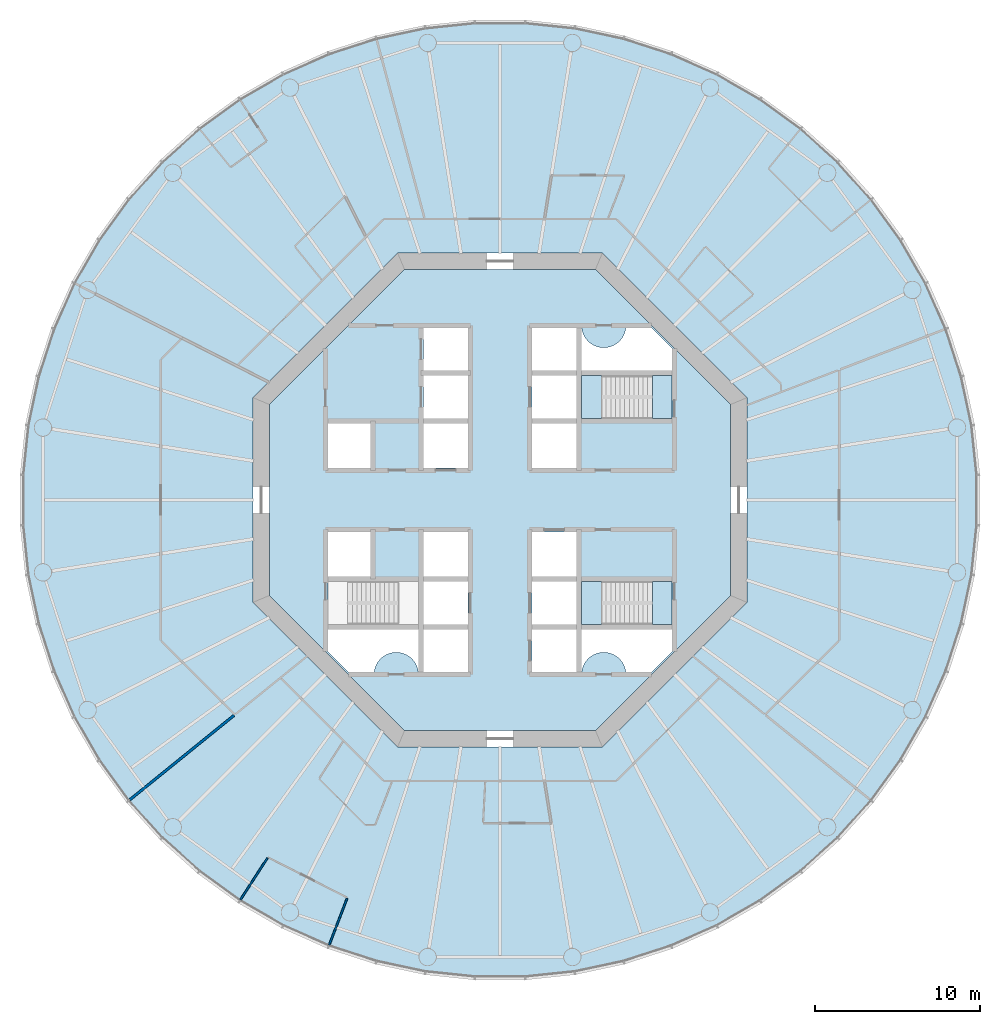
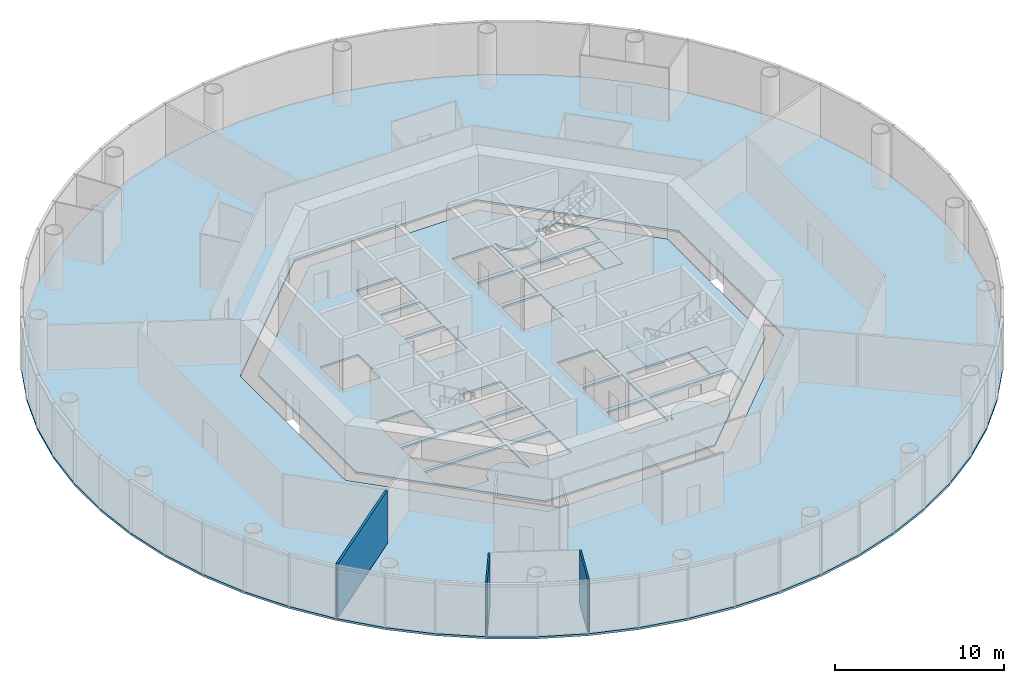
# One storey, part 2 of 12: 6 slabs, 3 walls, 2 elements without a shape of their own.
"""IFC4 building model written with IfcOpenShell, lengths in metres."""

from ifc_helpers import new_model, si_unit, direction, frame, frame_2d, origin, place, context, subcontext, project, spatial, polyline, rectangle, outline, extrude, material, layer, layer_set, type_object, element, aggregate, save


model = new_model("IFC4")

# Units and contexts
model_context = context("Model", 3, precision=1e-05, world=origin(), true_north=direction((0.0, 1.0)))
body_context = subcontext(model_context, "Body", "Model", "MODEL_VIEW")
ifc_project = project(units=[si_unit("LENGTHUNIT", "METRE"), si_unit("AREAUNIT", "SQUARE_METRE"), si_unit("VOLUMEUNIT", "CUBIC_METRE"), si_unit("PLANEANGLEUNIT", "RADIAN"), si_unit("MASSUNIT", "GRAM", prefix="KILO")], contexts=[model_context])

# Site, building, storey
site_placement = place(None, origin())
site = spatial("IfcSite", under=ifc_project, at=site_placement, CompositionType="ELEMENT")
building_placement = place(site_placement, origin())
building = spatial("IfcBuilding", under=site, at=building_placement, Name="Entoto Ring Tower", CompositionType="ELEMENT")
storey_placement = place(building_placement, frame((0.0, 0.0, 192.0)))
storey = spatial("IfcBuildingStorey", under=building, at=storey_placement, Name="L44", CompositionType="ELEMENT", Elevation=192.0)

# Slabs
ifc_material_1 = material(Name="Concrete C30/37", Category="concrete")
ifc_layer_1 = layer(ifc_material_1, 0.14990234375)
ifc_layer_set_1 = layer_set([ifc_layer_1], Name="Concrete C30/37")
slab_type_1 = type_object("IfcSlabType", Name="Composite floor slab 150 mm", PredefinedType="FLOOR", material=ifc_layer_set_1)
slab_1_placement = place(storey_placement, frame((0.0, 0.0, -0.14990234375)))
element("IfcSlab", 1, at=slab_1_placement, inside=storey, type_object=slab_type_1, Name="Floor slab L44", PredefinedType="FLOOR", context=body_context, shape_type="SweptSolid", body=[
    extrude(outline(polyline([(118.74169921875, 84.55224609375), (118.1083984375, 87.53173828125), (117.167236328125, 90.428466796875), (115.92822265625, 93.211181640625), (114.4052734375, 95.848876953125), (112.614990234375, 98.313232421875), (110.576904296875, 100.576904296875), (108.313232421875, 102.614990234375), (105.848876953125, 104.4052734375), (103.211181640625, 105.92822265625), (100.428466796875, 107.167236328125), (97.53173828125, 108.1083984375), (94.55224609375, 108.74169921875), (91.52294921875, 109.06005859375), (88.47705078125, 109.06005859375), (85.44775390625, 108.74169921875), (82.46826171875, 108.1083984375), (79.571533203125, 107.167236328125), (76.788818359375, 105.92822265625), (74.151123046875, 104.4052734375), (71.686767578125, 102.614990234375), (69.423095703125, 100.576904296875), (67.385009765625, 98.313232421875), (65.5947265625, 95.848876953125), (64.07177734375, 93.211181640625), (62.832763671875, 90.428466796875), (61.8916015625, 87.53173828125), (61.25830078125, 84.55224609375), (60.93994140625, 81.52294921875), (60.93994140625, 78.47705078125), (61.25830078125, 75.44775390625), (61.8916015625, 72.46826171875), (62.832763671875, 69.571533203125), (64.07177734375, 66.788818359375), (65.5947265625, 64.151123046875), (67.385009765625, 61.686767578125), (69.423095703125, 59.423095703125), (71.686767578125, 57.385009765625), (74.151123046875, 55.5947265625), (76.788818359375, 54.07177734375), (79.571533203125, 52.832763671875), (82.46826171875, 51.8916015625), (85.44775390625, 51.25830078125), (88.47705078125, 50.93994140625), (91.52294921875, 50.93994140625), (94.55224609375, 51.25830078125), (97.53173828125, 51.8916015625), (100.428466796875, 52.832763671875), (103.211181640625, 54.07177734375), (105.848876953125, 55.5947265625), (108.313232421875, 57.385009765625), (110.576904296875, 59.423095703125), (112.614990234375, 61.686767578125), (114.4052734375, 64.151123046875), (115.92822265625, 66.788818359375), (117.167236328125, 69.571533203125), (118.1083984375, 72.46826171875), (118.74169921875, 75.44775390625), (119.06005859375, 78.47705078125), (119.06005859375, 81.52294921875), (118.74169921875, 84.55224609375)]), holes=[polyline([(105.0, 73.786865234375), (105.0, 86.213134765625), (96.213134765625, 95.0), (83.786865234375, 95.0), (75.0, 86.213134765625), (75.0, 73.786865234375), (83.786865234375, 65.0), (96.213134765625, 65.0), (105.0, 73.786865234375)])]), origin(), (0.0, 0.0, 1.0), 0.14990234375),
])
ifc_material_2 = material(Name="Concrete C40/50", Category="concrete")
ifc_layer_2 = layer(ifc_material_2, 0.14990234375)
ifc_layer_set_2 = layer_set([ifc_layer_2], Name="Concrete C40/50")
slab_type_2 = type_object("IfcSlabType", Name="Core floor slab 150 mm reinforced concrete C40/50", PredefinedType="FLOOR", material=ifc_layer_set_2)
slab_2_placement = place(storey_placement, frame((0.0, 0.0, -0.14990234375)))
element("IfcSlab", 2, at=slab_2_placement, inside=storey, type_object=slab_type_2, Name="Core floor L44", PredefinedType="FLOOR", context=body_context, shape_type="SweptSolid", body=[
    extrude(outline(polyline([(104.0, 74.200927734375), (104.0, 85.799072265625), (95.799072265625, 94.0), (84.200927734375, 94.0), (76.0, 85.799072265625), (76.0, 74.200927734375), (84.200927734375, 66.0), (95.799072265625, 66.0), (104.0, 74.200927734375)]), holes=[polyline([(100.449951171875, 84.949951171875), (100.449951171875, 87.550048828125), (94.949951171875, 87.550048828125), (94.949951171875, 84.949951171875), (100.449951171875, 84.949951171875)]), polyline([(85.050048828125, 72.449951171875), (85.050048828125, 75.050048828125), (79.550048828125, 75.050048828125), (79.550048828125, 72.449951171875), (85.050048828125, 72.449951171875)]), polyline([(100.449951171875, 72.449951171875), (100.449951171875, 75.050048828125), (94.949951171875, 75.050048828125), (94.949951171875, 72.449951171875), (100.449951171875, 72.449951171875)]), polyline([(91.949951171875, 84.949951171875), (94.64990234375, 84.949951171875), (94.64990234375, 87.550048828125), (91.949951171875, 87.550048828125), (91.949951171875, 84.949951171875)]), polyline([(91.949951171875, 72.449951171875), (94.64990234375, 72.449951171875), (94.64990234375, 75.050048828125), (91.949951171875, 75.050048828125), (91.949951171875, 72.449951171875)]), polyline([(91.949951171875, 69.550048828125), (94.64990234375, 69.550048828125), (94.64990234375, 72.14990234375), (91.949951171875, 72.14990234375), (91.949951171875, 69.550048828125)]), polyline([(85.35009765625, 72.449951171875), (88.050048828125, 72.449951171875), (88.050048828125, 75.050048828125), (85.35009765625, 75.050048828125), (85.35009765625, 72.449951171875)]), polyline([(85.35009765625, 81.949951171875), (88.050048828125, 81.949951171875), (88.050048828125, 84.64990234375), (85.35009765625, 84.64990234375), (85.35009765625, 81.949951171875)]), polyline([(91.949951171875, 75.35009765625), (94.64990234375, 75.35009765625), (94.64990234375, 78.050048828125), (91.949951171875, 78.050048828125), (91.949951171875, 75.35009765625)]), polyline([(79.550048828125, 81.949951171875), (82.14990234375, 81.949951171875), (82.14990234375, 84.64990234375), (79.550048828125, 84.64990234375), (79.550048828125, 81.949951171875)]), polyline([(79.550048828125, 75.35009765625), (82.14990234375, 75.35009765625), (82.14990234375, 78.050048828125), (79.550048828125, 78.050048828125), (79.550048828125, 75.35009765625)]), polyline([(91.949951171875, 87.85009765625), (94.64990234375, 87.85009765625), (94.64990234375, 90.449951171875), (91.949951171875, 90.449951171875), (91.949951171875, 87.85009765625)]), polyline([(85.35009765625, 69.550048828125), (88.050048828125, 69.550048828125), (88.050048828125, 72.14990234375), (85.35009765625, 72.14990234375), (85.35009765625, 69.550048828125)]), polyline([(91.949951171875, 81.949951171875), (94.64990234375, 81.949951171875), (94.64990234375, 84.64990234375), (91.949951171875, 84.64990234375), (91.949951171875, 81.949951171875)]), polyline([(85.35009765625, 75.35009765625), (88.050048828125, 75.35009765625), (88.050048828125, 78.050048828125), (85.35009765625, 78.050048828125), (85.35009765625, 75.35009765625)]), polyline([(85.35009765625, 84.949951171875), (88.050048828125, 84.949951171875), (88.050048828125, 87.550048828125), (85.35009765625, 87.550048828125), (85.35009765625, 84.949951171875)]), polyline([(85.35009765625, 87.85009765625), (88.050048828125, 87.85009765625), (88.050048828125, 90.449951171875), (85.35009765625, 90.449951171875), (85.35009765625, 87.85009765625)]), polyline([(94.89990234375, 90.5), (94.89990234375, 87.800048828125), (100.5, 87.800048828125), (100.5, 89.15771484375), (99.15771484375, 90.5), (97.64501953125, 90.5), (97.6435546875, 90.4677734375), (97.6240234375, 90.336669921875), (97.591796875, 90.2080078125), (97.547119140625, 90.08349609375), (97.490478515625, 89.963623046875), (97.422607421875, 89.85009765625), (97.343505859375, 89.74365234375), (97.254638671875, 89.6455078125), (97.156494140625, 89.556396484375), (97.050048828125, 89.4775390625), (96.936279296875, 89.409423828125), (96.816650390625, 89.352783203125), (96.69189453125, 89.30810546875), (96.5634765625, 89.27587890625), (96.432373046875, 89.256591796875), (96.300048828125, 89.25), (96.167724609375, 89.256591796875), (96.03662109375, 89.27587890625), (95.908203125, 89.30810546875), (95.783447265625, 89.352783203125), (95.66357421875, 89.409423828125), (95.550048828125, 89.4775390625), (95.443603515625, 89.556396484375), (95.345458984375, 89.6455078125), (95.25634765625, 89.74365234375), (95.177490234375, 89.85009765625), (95.109375, 89.963623046875), (95.052734375, 90.08349609375), (95.008056640625, 90.2080078125), (94.975830078125, 90.336669921875), (94.95654296875, 90.4677734375), (94.954833984375, 90.5), (94.89990234375, 90.5)]), polyline([(79.5, 70.84228515625), (80.84228515625, 69.5), (82.35498046875, 69.5), (82.3564453125, 69.5322265625), (82.3759765625, 69.663330078125), (82.408203125, 69.7919921875), (82.452880859375, 69.91650390625), (82.509521484375, 70.036376953125), (82.577392578125, 70.14990234375), (82.656494140625, 70.25634765625), (82.745361328125, 70.3544921875), (82.843505859375, 70.443603515625), (82.949951171875, 70.5224609375), (83.063720703125, 70.590576171875), (83.183349609375, 70.647216796875), (83.30810546875, 70.69189453125), (83.4365234375, 70.72412109375), (83.567626953125, 70.743408203125), (83.699951171875, 70.75), (83.832275390625, 70.743408203125), (83.96337890625, 70.72412109375), (84.091796875, 70.69189453125), (84.216552734375, 70.647216796875), (84.33642578125, 70.590576171875), (84.449951171875, 70.5224609375), (84.556396484375, 70.443603515625), (84.654541015625, 70.3544921875), (84.74365234375, 70.25634765625), (84.822509765625, 70.14990234375), (84.890625, 70.036376953125), (84.947265625, 69.91650390625), (84.991943359375, 69.7919921875), (85.024169921875, 69.663330078125), (85.04345703125, 69.5322265625), (85.045166015625, 69.5), (85.10009765625, 69.5), (85.10009765625, 72.199951171875), (79.5, 72.199951171875), (79.5, 70.84228515625)]), polyline([(97.64501953125, 69.5), (99.15771484375, 69.5), (100.5, 70.84228515625), (100.5, 72.199951171875), (94.89990234375, 72.199951171875), (94.89990234375, 69.5), (94.954833984375, 69.5), (94.95654296875, 69.5322265625), (94.975830078125, 69.663330078125), (95.008056640625, 69.7919921875), (95.052734375, 69.91650390625), (95.109375, 70.036376953125), (95.177490234375, 70.14990234375), (95.25634765625, 70.25634765625), (95.345458984375, 70.3544921875), (95.443603515625, 70.443603515625), (95.550048828125, 70.5224609375), (95.66357421875, 70.590576171875), (95.783447265625, 70.647216796875), (95.908203125, 70.69189453125), (96.03662109375, 70.72412109375), (96.167724609375, 70.743408203125), (96.300048828125, 70.75), (96.432373046875, 70.743408203125), (96.5634765625, 70.72412109375), (96.69189453125, 70.69189453125), (96.816650390625, 70.647216796875), (96.936279296875, 70.590576171875), (97.050048828125, 70.5224609375), (97.156494140625, 70.443603515625), (97.254638671875, 70.3544921875), (97.343505859375, 70.25634765625), (97.422607421875, 70.14990234375), (97.490478515625, 70.036376953125), (97.547119140625, 69.91650390625), (97.591796875, 69.7919921875), (97.6240234375, 69.663330078125), (97.6435546875, 69.5322265625), (97.64501953125, 69.5)])]), origin(), (0.0, 0.0, 1.0), 0.14990234375),
])

# Stair, slabs
ifc_material_3 = material(Name="Concrete C40/50", Category="concrete")
stair_type = type_object("IfcStairType", Name="Exit stair 1200 mm dog-leg reinforced concrete", PredefinedType="HALF_TURN_STAIR", material=ifc_material_3)
stair_1_placement = place(storey_placement, origin())
stair_1 = element("IfcStair", 3, at=stair_1_placement, inside=storey, type_object=stair_type, Name="Exit stair 1", PredefinedType="HALF_TURN_STAIR")
ifc_material_4 = material(Name="Concrete C40/50", Category="concrete")
ifc_layer_3 = layer(ifc_material_4, 0.199951171875)
ifc_layer_set_3 = layer_set([ifc_layer_3], Name="Concrete C40/50")
slab_type_3 = type_object("IfcSlabType", Name="Stair landing 200 mm reinforced concrete", PredefinedType="LANDING", material=ifc_layer_set_3)
slab_3_placement = place(storey_placement, frame((0.0, 0.0, -0.199951171875)))
slab_3 = element("IfcSlab", 4, at=slab_3_placement, type_object=slab_type_3, Name="ST1 landing 1", PredefinedType="LANDING", context=body_context, shape_type="SweptSolid", body=[
    extrude(outline(polyline([(100.449951171875, 84.949951171875), (100.449951171875, 87.550048828125), (99.25, 87.550048828125), (99.25, 84.949951171875), (100.449951171875, 84.949951171875)])), origin(), (0.0, 0.0, 1.0), 0.199951171875),
])
slab_4_placement = place(storey_placement, frame((0.0, 0.0, 1.800048828125)))
slab_4 = element("IfcSlab", 5, at=slab_4_placement, type_object=slab_type_3, Name="ST1 landing 2", PredefinedType="LANDING", context=body_context, shape_type="SweptSolid", body=[
    extrude(outline(polyline([(94.949951171875, 84.949951171875), (96.169921875, 84.949951171875), (96.169921875, 87.550048828125), (94.949951171875, 87.550048828125), (94.949951171875, 84.949951171875)])), origin(), (0.0, 0.0, 1.0), 0.199951171875),
])
aggregate(stair_1, [slab_3, slab_4])

stair_2_placement = place(storey_placement, origin())
stair_2 = element("IfcStair", 6, at=stair_2_placement, inside=storey, type_object=stair_type, Name="Exit stair 3", PredefinedType="HALF_TURN_STAIR")
slab_5_placement = place(storey_placement, frame((0.0, 0.0, -0.199951171875)))
slab_5 = element("IfcSlab", 7, at=slab_5_placement, type_object=slab_type_3, Name="ST3 landing 1", PredefinedType="LANDING", context=body_context, shape_type="SweptSolid", body=[
    extrude(outline(polyline([(100.449951171875, 72.449951171875), (100.449951171875, 75.050048828125), (99.25, 75.050048828125), (99.25, 72.449951171875), (100.449951171875, 72.449951171875)])), origin(), (0.0, 0.0, 1.0), 0.199951171875),
])
slab_6_placement = place(storey_placement, frame((0.0, 0.0, 1.800048828125)))
slab_6 = element("IfcSlab", 8, at=slab_6_placement, type_object=slab_type_3, Name="ST3 landing 2", PredefinedType="LANDING", context=body_context, shape_type="SweptSolid", body=[
    extrude(outline(polyline([(94.949951171875, 72.449951171875), (96.169921875, 72.449951171875), (96.169921875, 75.050048828125), (94.949951171875, 75.050048828125), (94.949951171875, 72.449951171875)])), origin(), (0.0, 0.0, 1.0), 0.199951171875),
])
aggregate(stair_2, [slab_5, slab_6])

# Walls
ifc_material_5 = material(Name="Plasterboard on steel studs", Category="steel")
ifc_layer_4 = layer(ifc_material_5, 0.10009765625)
ifc_layer_set_4 = layer_set([ifc_layer_4], Name="Plasterboard on steel studs")
wall_type_1 = type_object("IfcWallType", Name="Partition 100 mm plasterboard on steel studs", PredefinedType="PARTITIONING", material=ifc_layer_set_4)
for number, where, z_axis, x_axis, name in (
    (9, (79.62890625, 52.982177734375, 0.0), (0.0, 0.0, 1.0), (0.358323593477, 0.933597451988, 0.0), "partition-L44-029"),
    (10, (74.238037109375, 55.72900390625, 0.0), (0.0, 0.0, 1.0), (0.544661562451, 0.838655938027, 0.0), "partition-L44-030"),
):
    element("IfcWall", number, at=place(storey_placement, frame(where, z_axis=z_axis, x_axis=x_axis)), inside=storey, type_object=wall_type_1, Name=name, PredefinedType="PARTITIONING", context=body_context, shape_type="SweptSolid", body=[
        extrude(rectangle(XDim=3.020263671875, YDim=0.10009765625, at=frame_2d((1.51025390625, 0.0))), origin(), (0.0, 0.0, 1.0), 3.85009765625),
    ])
ifc_material_6 = material(Name="Fire-resisting acoustic plasterboard on steel studs", Category="steel")
ifc_layer_5 = layer(ifc_material_6, 0.14990234375)
ifc_layer_set_5 = layer_set([ifc_layer_5], Name="Fire-resisting acoustic plasterboard on steel studs")
wall_type_2 = type_object("IfcWallType", Name="Party wall 150 mm one-hour acoustic plasterboard on steel studs", PredefinedType="PARTITIONING", material=ifc_layer_set_5)
wall_placement = place(storey_placement, frame((67.509521484375, 61.78759765625, 0.0), z_axis=(0.0, 0.0, 1.0), x_axis=(0.777143081467, 0.629323947524, 0.0)))
element("IfcWall", 11, at=wall_placement, inside=storey, type_object=wall_type_2, Name="partition-L44-018", PredefinedType="PARTITIONING", context=body_context, shape_type="SweptSolid", body=[
    extrude(rectangle(XDim=8.15576171875, YDim=0.14990234375, at=frame_2d((4.077880859375, 0.0))), origin(), (0.0, 0.0, 1.0), 3.85009765625),
])

save(model, "model.ifc")
